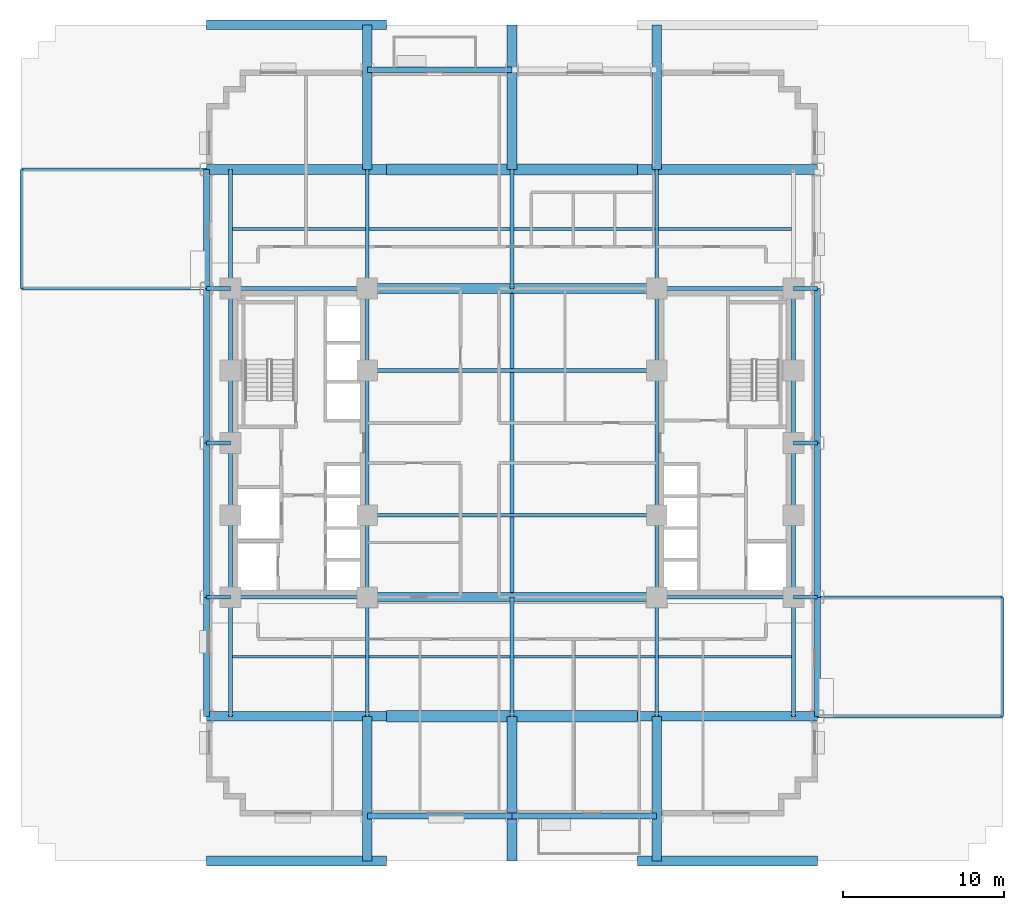
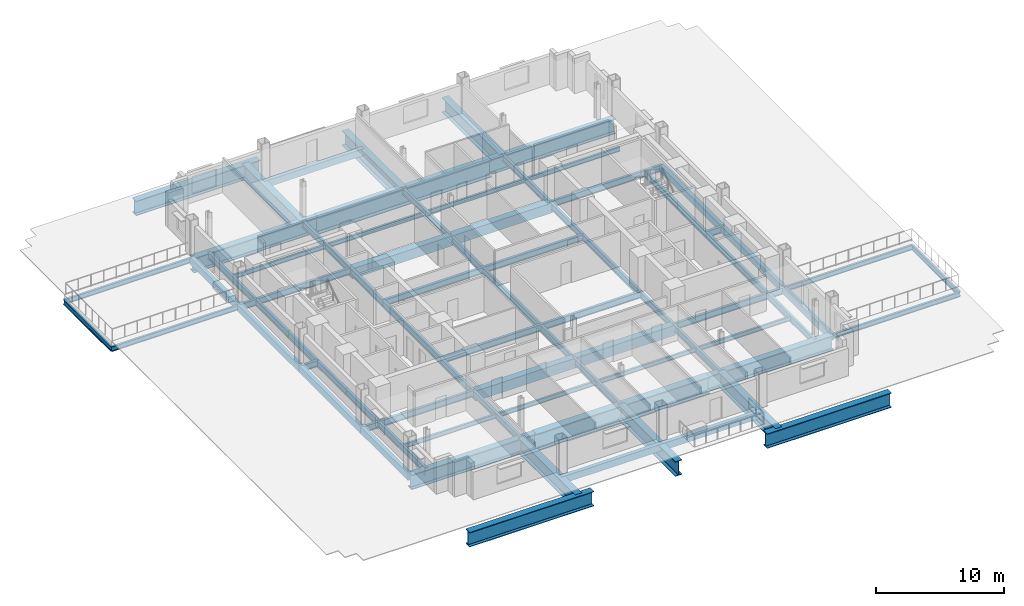
# One storey, part 3 of 13: 79 beams.
"""IFC4 building model written with IfcOpenShell, lengths in metres."""

from ifc_helpers import new_model, si_unit, direction, frame, origin, origin_2d, place, context, subcontext, project, spatial, rectangle, i_section, extrude, material, material_profile, profile_set, type_object, element, save


model = new_model("IFC4")

# Units and contexts
model_context = context("Model", 3, precision=1e-05, world=origin(), true_north=direction((0.0, 1.0)))
body_context = subcontext(model_context, "Body", "Model", "MODEL_VIEW")
ifc_project = project(units=[si_unit("LENGTHUNIT", "METRE"), si_unit("AREAUNIT", "SQUARE_METRE"), si_unit("VOLUMEUNIT", "CUBIC_METRE"), si_unit("PLANEANGLEUNIT", "RADIAN"), si_unit("MASSUNIT", "GRAM", prefix="KILO")], contexts=[model_context])

# Site, building, storey
site_placement = place(None, origin())
site = spatial("IfcSite", under=ifc_project, at=site_placement, CompositionType="ELEMENT")
building_placement = place(site_placement, origin())
building = spatial("IfcBuilding", under=site, at=building_placement, Name="Nuvemarco Arch Tower", CompositionType="ELEMENT")
storey_placement = place(building_placement, frame((0.0, 0.0, 27.60009765625)))
storey = spatial("IfcBuildingStorey", under=building, at=storey_placement, Name="L06", CompositionType="ELEMENT", Elevation=27.60009765625)

# Beams
ifc_material_1 = material(Name="Steel S460", Category="steel")
ifc_material_profile_1 = material_profile(ifc_material_1, i_section(OverallWidth=0.699951171875, OverallDepth=1.60009765625, WebThickness=0.035888671875, FlangeThickness=0.06494140625, FilletRadius=0.02392578125, at=origin_2d()), Name="PG1600x700")
ifc_profile_set_1 = profile_set([ifc_material_profile_1], Name="Steel S460")
beam_type_1 = type_object("IfcBeamType", Name="BM-ARCH-TRUSS", PredefinedType="BEAM", material=ifc_profile_set_1)
for number, where, z_axis, x_axis, name in (
    (1, (-7.800048828125, -17.0, -1.2001953125), (1.0, 0.0, 0.0), (0.0, 1.0, 0.0), "L06 Giant Arch transfer girder top chord -17.0"),
    (2, (-7.800048828125, 17.0, -1.2001953125), (1.0, 0.0, 0.0), (0.0, 1.0, 0.0), "L06 Giant Arch transfer girder top chord +17.0"),
):
    element("IfcBeam", number, at=place(storey_placement, frame(where, z_axis=z_axis, x_axis=x_axis)), inside=storey, type_object=beam_type_1, Name=name, PredefinedType="BEAM", context=body_context, shape_type="SweptSolid", body=[
        extrude(i_section(OverallWidth=0.699951171875, OverallDepth=1.60009765625, WebThickness=0.035888671875, FlangeThickness=0.06494140625, FilletRadius=0.02392578125, at=origin_2d()), origin(), (0.0, 0.0, 1.0), 15.60009765625),
    ])
ifc_material_2 = material(Name="Concrete C60/75", Category="concrete")
ifc_material_profile_2 = material_profile(ifc_material_2, rectangle(XDim=0.60009765625, YDim=0.949951171875, at=origin_2d()), Name="RC-BM-600x950")
ifc_profile_set_2 = profile_set([ifc_material_profile_2], Name="Concrete C60/75")
beam_type_2 = type_object("IfcBeamType", Name="BM-COUP-RC", PredefinedType="LINTEL", material=ifc_profile_set_2)
for number, where, z_axis, x_axis, name in (
    (3, (-9.0, -9.60009765625, -0.875), (1.0, 0.0, 0.0), (0.0, 1.0, 0.0), "L06 structural beam BGEW_L06_0_-9.6_-9.0"),
    (4, (0.0, -9.60009765625, -0.875), (1.0, 0.0, 0.0), (0.0, 1.0, 0.0), "L06 structural beam BGEW_L06_0_-9.6_+0.0"),
    (5, (-9.0, 9.60009765625, -0.875), (1.0, 0.0, 0.0), (0.0, 1.0, 0.0), "L06 structural beam BGEW_L06_0_+9.6_-9.0"),
    (6, (0.0, 9.60009765625, -0.875), (1.0, 0.0, 0.0), (0.0, 1.0, 0.0), "L06 structural beam BGEW_L06_0_+9.6_+0.0"),
):
    element("IfcBeam", number, at=place(storey_placement, frame(where, z_axis=z_axis, x_axis=x_axis)), inside=storey, type_object=beam_type_2, Name=name, PredefinedType="LINTEL", context=body_context, shape_type="SweptSolid", body=[
        extrude(rectangle(XDim=0.60009765625, YDim=0.949951171875, at=origin_2d()), origin(), (0.0, 0.0, 1.0), 9.0),
    ])
ifc_material_3 = material(Name="Steel S355", Category="steel")
ifc_material_profile_3 = material_profile(ifc_material_3, i_section(OverallWidth=0.22998046875, OverallDepth=0.616943359375, WebThickness=0.01318359375, FlangeThickness=0.022216796875, FilletRadius=0.01611328125, at=origin_2d()), Name="W610x140")
ifc_profile_set_3 = profile_set([ifc_material_profile_3], Name="Steel S355")
beam_type_3 = type_object("IfcBeamType", Name="BM-GIRD-610", PredefinedType="BEAM", material=ifc_profile_set_3)
beam_1_placement = place(storey_placement, frame((-17.5, -17.0, -0.70849609375), z_axis=(0.0, 1.0, 0.0), x_axis=(-1.0, 0.0, 0.0)))
element("IfcBeam", 7, at=beam_1_placement, inside=storey, type_object=beam_type_3, Name="L06 structural beam BGNS_L06_0_-17.5_-17.0", PredefinedType="BEAM", context=body_context, shape_type="SweptSolid", body=[
    extrude(i_section(OverallWidth=0.22998046875, OverallDepth=0.616943359375, WebThickness=0.01318359375, FlangeThickness=0.022216796875, FilletRadius=0.01611328125, at=origin_2d()), origin(), (0.0, 0.0, 1.0), 7.39990234375),
])
beam_2_placement = place(storey_placement, frame((-17.5, -9.60009765625, -0.70849609375), z_axis=(0.0, 1.0, 0.0), x_axis=(-1.0, 0.0, 0.0)))
element("IfcBeam", 8, at=beam_2_placement, inside=storey, type_object=beam_type_3, Name="L06 structural beam BGNS_L06_0_-17.5_-9.6", PredefinedType="BEAM", context=body_context, shape_type="SweptSolid", body=[
    extrude(i_section(OverallWidth=0.22998046875, OverallDepth=0.616943359375, WebThickness=0.01318359375, FlangeThickness=0.022216796875, FilletRadius=0.01611328125, at=origin_2d()), origin(), (0.0, 0.0, 1.0), 5.10009765625),
])
for number, where, z_axis, x_axis, name in (
    (9, (-17.5, -4.5, -0.70849609375), (0.0, 1.0, 0.0), (-1.0, 0.0, 0.0), "L06 structural beam BGNS_L06_0_-17.5_-4.5"),
    (10, (-17.5, 0.0, -0.70849609375), (0.0, 1.0, 0.0), (-1.0, 0.0, 0.0), "L06 structural beam BGNS_L06_0_-17.5_+0.0"),
):
    element("IfcBeam", number, at=place(storey_placement, frame(where, z_axis=z_axis, x_axis=x_axis)), inside=storey, type_object=beam_type_3, Name=name, PredefinedType="BEAM", context=body_context, shape_type="SweptSolid", body=[
        extrude(i_section(OverallWidth=0.22998046875, OverallDepth=0.616943359375, WebThickness=0.01318359375, FlangeThickness=0.022216796875, FilletRadius=0.01611328125, at=origin_2d()), origin(), (0.0, 0.0, 1.0), 4.5),
    ])
beam_3_placement = place(storey_placement, frame((-17.5, 4.5, -0.70849609375), z_axis=(0.0, 1.0, 0.0), x_axis=(-1.0, 0.0, 0.0)))
element("IfcBeam", 11, at=beam_3_placement, inside=storey, type_object=beam_type_3, Name="L06 structural beam BGNS_L06_0_-17.5_+4.5", PredefinedType="BEAM", context=body_context, shape_type="SweptSolid", body=[
    extrude(i_section(OverallWidth=0.22998046875, OverallDepth=0.616943359375, WebThickness=0.01318359375, FlangeThickness=0.022216796875, FilletRadius=0.01611328125, at=origin_2d()), origin(), (0.0, 0.0, 1.0), 5.10009765625),
])
for number, where, z_axis, x_axis, name in (
    (12, (-17.5, 9.60009765625, -0.70849609375), (0.0, 1.0, 0.0), (-1.0, 0.0, 0.0), "L06 structural beam BGNS_L06_0_-17.5_+9.6"),
    (13, (-9.0, -17.0, -0.70849609375), (0.0, 1.0, 0.0), (-1.0, 0.0, 0.0), "L06 structural beam BGNS_L06_0_-9.0_-17.0"),
):
    element("IfcBeam", number, at=place(storey_placement, frame(where, z_axis=z_axis, x_axis=x_axis)), inside=storey, type_object=beam_type_3, Name=name, PredefinedType="BEAM", context=body_context, shape_type="SweptSolid", body=[
        extrude(i_section(OverallWidth=0.22998046875, OverallDepth=0.616943359375, WebThickness=0.01318359375, FlangeThickness=0.022216796875, FilletRadius=0.01611328125, at=origin_2d()), origin(), (0.0, 0.0, 1.0), 7.39990234375),
    ])
beam_4_placement = place(storey_placement, frame((-9.0, -9.60009765625, -0.70849609375), z_axis=(0.0, 1.0, 0.0), x_axis=(-1.0, 0.0, 0.0)))
element("IfcBeam", 14, at=beam_4_placement, inside=storey, type_object=beam_type_3, Name="L06 structural beam BGNS_L06_0_-9.0_-9.6", PredefinedType="BEAM", context=body_context, shape_type="SweptSolid", body=[
    extrude(i_section(OverallWidth=0.22998046875, OverallDepth=0.616943359375, WebThickness=0.01318359375, FlangeThickness=0.022216796875, FilletRadius=0.01611328125, at=origin_2d()), origin(), (0.0, 0.0, 1.0), 5.10009765625),
])
beam_5_placement = place(storey_placement, frame((-9.0, -4.5, -0.70849609375), z_axis=(0.0, 1.0, 0.0), x_axis=(-1.0, 0.0, 0.0)))
element("IfcBeam", 15, at=beam_5_placement, inside=storey, type_object=beam_type_3, Name="L06 structural beam BGNS_L06_0_-9.0_-4.5", PredefinedType="BEAM", context=body_context, shape_type="SweptSolid", body=[
    extrude(i_section(OverallWidth=0.22998046875, OverallDepth=0.616943359375, WebThickness=0.01318359375, FlangeThickness=0.022216796875, FilletRadius=0.01611328125, at=origin_2d()), origin(), (0.0, 0.0, 1.0), 9.0),
])
beam_6_placement = place(storey_placement, frame((-9.0, 4.5, -0.70849609375), z_axis=(0.0, 1.0, 0.0), x_axis=(-1.0, 0.0, 0.0)))
element("IfcBeam", 16, at=beam_6_placement, inside=storey, type_object=beam_type_3, Name="L06 structural beam BGNS_L06_0_-9.0_+4.5", PredefinedType="BEAM", context=body_context, shape_type="SweptSolid", body=[
    extrude(i_section(OverallWidth=0.22998046875, OverallDepth=0.616943359375, WebThickness=0.01318359375, FlangeThickness=0.022216796875, FilletRadius=0.01611328125, at=origin_2d()), origin(), (0.0, 0.0, 1.0), 5.10009765625),
])
for number, where, z_axis, x_axis, name in (
    (17, (-9.0, 9.60009765625, -0.70849609375), (0.0, 1.0, 0.0), (-1.0, 0.0, 0.0), "L06 structural beam BGNS_L06_0_-9.0_+9.6"),
    (18, (0.0, -17.0, -0.70849609375), (0.0, 1.0, 0.0), (-1.0, 0.0, 0.0), "L06 structural beam BGNS_L06_0_+0.0_-17.0"),
):
    element("IfcBeam", number, at=place(storey_placement, frame(where, z_axis=z_axis, x_axis=x_axis)), inside=storey, type_object=beam_type_3, Name=name, PredefinedType="BEAM", context=body_context, shape_type="SweptSolid", body=[
        extrude(i_section(OverallWidth=0.22998046875, OverallDepth=0.616943359375, WebThickness=0.01318359375, FlangeThickness=0.022216796875, FilletRadius=0.01611328125, at=origin_2d()), origin(), (0.0, 0.0, 1.0), 7.39990234375),
    ])
beam_7_placement = place(storey_placement, frame((0.0, -9.60009765625, -0.70849609375), z_axis=(0.0, 1.0, 0.0), x_axis=(-1.0, 0.0, 0.0)))
element("IfcBeam", 19, at=beam_7_placement, inside=storey, type_object=beam_type_3, Name="L06 structural beam BGNS_L06_0_+0.0_-9.6", PredefinedType="BEAM", context=body_context, shape_type="SweptSolid", body=[
    extrude(i_section(OverallWidth=0.22998046875, OverallDepth=0.616943359375, WebThickness=0.01318359375, FlangeThickness=0.022216796875, FilletRadius=0.01611328125, at=origin_2d()), origin(), (0.0, 0.0, 1.0), 19.2001953125),
])
for number, where, z_axis, x_axis, name in (
    (20, (0.0, 9.60009765625, -0.70849609375), (0.0, 1.0, 0.0), (-1.0, 0.0, 0.0), "L06 structural beam BGNS_L06_0_+0.0_+9.6"),
    (21, (9.0, -17.0, -0.70849609375), (0.0, 1.0, 0.0), (-1.0, 0.0, 0.0), "L06 structural beam BGNS_L06_0_+9.0_-17.0"),
):
    element("IfcBeam", number, at=place(storey_placement, frame(where, z_axis=z_axis, x_axis=x_axis)), inside=storey, type_object=beam_type_3, Name=name, PredefinedType="BEAM", context=body_context, shape_type="SweptSolid", body=[
        extrude(i_section(OverallWidth=0.22998046875, OverallDepth=0.616943359375, WebThickness=0.01318359375, FlangeThickness=0.022216796875, FilletRadius=0.01611328125, at=origin_2d()), origin(), (0.0, 0.0, 1.0), 7.39990234375),
    ])
beam_8_placement = place(storey_placement, frame((9.0, -9.60009765625, -0.70849609375), z_axis=(0.0, 1.0, 0.0), x_axis=(-1.0, 0.0, 0.0)))
element("IfcBeam", 22, at=beam_8_placement, inside=storey, type_object=beam_type_3, Name="L06 structural beam BGNS_L06_0_+9.0_-9.6", PredefinedType="BEAM", context=body_context, shape_type="SweptSolid", body=[
    extrude(i_section(OverallWidth=0.22998046875, OverallDepth=0.616943359375, WebThickness=0.01318359375, FlangeThickness=0.022216796875, FilletRadius=0.01611328125, at=origin_2d()), origin(), (0.0, 0.0, 1.0), 5.10009765625),
])
beam_9_placement = place(storey_placement, frame((9.0, -4.5, -0.70849609375), z_axis=(0.0, 1.0, 0.0), x_axis=(-1.0, 0.0, 0.0)))
element("IfcBeam", 23, at=beam_9_placement, inside=storey, type_object=beam_type_3, Name="L06 structural beam BGNS_L06_0_+9.0_-4.5", PredefinedType="BEAM", context=body_context, shape_type="SweptSolid", body=[
    extrude(i_section(OverallWidth=0.22998046875, OverallDepth=0.616943359375, WebThickness=0.01318359375, FlangeThickness=0.022216796875, FilletRadius=0.01611328125, at=origin_2d()), origin(), (0.0, 0.0, 1.0), 9.0),
])
beam_10_placement = place(storey_placement, frame((9.0, 4.5, -0.70849609375), z_axis=(0.0, 1.0, 0.0), x_axis=(-1.0, 0.0, 0.0)))
element("IfcBeam", 24, at=beam_10_placement, inside=storey, type_object=beam_type_3, Name="L06 structural beam BGNS_L06_0_+9.0_+4.5", PredefinedType="BEAM", context=body_context, shape_type="SweptSolid", body=[
    extrude(i_section(OverallWidth=0.22998046875, OverallDepth=0.616943359375, WebThickness=0.01318359375, FlangeThickness=0.022216796875, FilletRadius=0.01611328125, at=origin_2d()), origin(), (0.0, 0.0, 1.0), 5.10009765625),
])
for number, where, z_axis, x_axis, name in (
    (25, (9.0, 9.60009765625, -0.70849609375), (0.0, 1.0, 0.0), (-1.0, 0.0, 0.0), "L06 structural beam BGNS_L06_0_+9.0_+9.6"),
    (26, (17.5, -17.0, -0.70849609375), (0.0, 1.0, 0.0), (-1.0, 0.0, 0.0), "L06 structural beam BGNS_L06_0_+17.5_-17.0"),
):
    element("IfcBeam", number, at=place(storey_placement, frame(where, z_axis=z_axis, x_axis=x_axis)), inside=storey, type_object=beam_type_3, Name=name, PredefinedType="BEAM", context=body_context, shape_type="SweptSolid", body=[
        extrude(i_section(OverallWidth=0.22998046875, OverallDepth=0.616943359375, WebThickness=0.01318359375, FlangeThickness=0.022216796875, FilletRadius=0.01611328125, at=origin_2d()), origin(), (0.0, 0.0, 1.0), 7.39990234375),
    ])
beam_11_placement = place(storey_placement, frame((17.5, -9.60009765625, -0.70849609375), z_axis=(0.0, 1.0, 0.0), x_axis=(-1.0, 0.0, 0.0)))
element("IfcBeam", 27, at=beam_11_placement, inside=storey, type_object=beam_type_3, Name="L06 structural beam BGNS_L06_0_+17.5_-9.6", PredefinedType="BEAM", context=body_context, shape_type="SweptSolid", body=[
    extrude(i_section(OverallWidth=0.22998046875, OverallDepth=0.616943359375, WebThickness=0.01318359375, FlangeThickness=0.022216796875, FilletRadius=0.01611328125, at=origin_2d()), origin(), (0.0, 0.0, 1.0), 5.10009765625),
])
for number, where, z_axis, x_axis, name in (
    (28, (17.5, -4.5, -0.70849609375), (0.0, 1.0, 0.0), (-1.0, 0.0, 0.0), "L06 structural beam BGNS_L06_0_+17.5_-4.5"),
    (29, (17.5, 0.0, -0.70849609375), (0.0, 1.0, 0.0), (-1.0, 0.0, 0.0), "L06 structural beam BGNS_L06_0_+17.5_+0.0"),
):
    element("IfcBeam", number, at=place(storey_placement, frame(where, z_axis=z_axis, x_axis=x_axis)), inside=storey, type_object=beam_type_3, Name=name, PredefinedType="BEAM", context=body_context, shape_type="SweptSolid", body=[
        extrude(i_section(OverallWidth=0.22998046875, OverallDepth=0.616943359375, WebThickness=0.01318359375, FlangeThickness=0.022216796875, FilletRadius=0.01611328125, at=origin_2d()), origin(), (0.0, 0.0, 1.0), 4.5),
    ])
beam_12_placement = place(storey_placement, frame((17.5, 4.5, -0.70849609375), z_axis=(0.0, 1.0, 0.0), x_axis=(-1.0, 0.0, 0.0)))
element("IfcBeam", 30, at=beam_12_placement, inside=storey, type_object=beam_type_3, Name="L06 structural beam BGNS_L06_0_+17.5_+4.5", PredefinedType="BEAM", context=body_context, shape_type="SweptSolid", body=[
    extrude(i_section(OverallWidth=0.22998046875, OverallDepth=0.616943359375, WebThickness=0.01318359375, FlangeThickness=0.022216796875, FilletRadius=0.01611328125, at=origin_2d()), origin(), (0.0, 0.0, 1.0), 5.10009765625),
])
beam_13_placement = place(storey_placement, frame((-19.0, -9.60009765625, -0.70849609375), z_axis=(1.0, 0.0, 0.0), x_axis=(0.0, 1.0, 0.0)))
element("IfcBeam", 31, at=beam_13_placement, inside=storey, type_object=beam_type_3, Name="L06 structural beam BGEW_L06_0_-9.6_-19.0", PredefinedType="BEAM", context=body_context, shape_type="SweptSolid", body=[
    extrude(i_section(OverallWidth=0.22998046875, OverallDepth=0.616943359375, WebThickness=0.01318359375, FlangeThickness=0.022216796875, FilletRadius=0.01611328125, at=origin_2d()), origin(), (0.0, 0.0, 1.0), 1.5),
])
for number, where, z_axis, x_axis, name in (
    (32, (-17.5, -9.60009765625, -0.70849609375), (1.0, 0.0, 0.0), (0.0, 1.0, 0.0), "L06 structural beam BGEW_L06_0_-9.6_-17.5"),
    (33, (9.0, -9.60009765625, -0.70849609375), (1.0, 0.0, 0.0), (0.0, 1.0, 0.0), "L06 structural beam BGEW_L06_0_-9.6_+9.0"),
):
    element("IfcBeam", number, at=place(storey_placement, frame(where, z_axis=z_axis, x_axis=x_axis)), inside=storey, type_object=beam_type_3, Name=name, PredefinedType="BEAM", context=body_context, shape_type="SweptSolid", body=[
        extrude(i_section(OverallWidth=0.22998046875, OverallDepth=0.616943359375, WebThickness=0.01318359375, FlangeThickness=0.022216796875, FilletRadius=0.01611328125, at=origin_2d()), origin(), (0.0, 0.0, 1.0), 8.5),
    ])
beam_14_placement = place(storey_placement, frame((17.5, -9.60009765625, -0.70849609375), z_axis=(1.0, 0.0, 0.0), x_axis=(0.0, 1.0, 0.0)))
element("IfcBeam", 34, at=beam_14_placement, inside=storey, type_object=beam_type_3, Name="L06 structural beam BGEW_L06_0_-9.6_+17.5", PredefinedType="BEAM", context=body_context, shape_type="SweptSolid", body=[
    extrude(i_section(OverallWidth=0.22998046875, OverallDepth=0.616943359375, WebThickness=0.01318359375, FlangeThickness=0.022216796875, FilletRadius=0.01611328125, at=origin_2d()), origin(), (0.0, 0.0, 1.0), 1.5),
])
beam_15_placement = place(storey_placement, frame((-9.0, -4.5, -0.70849609375), z_axis=(1.0, 0.0, 0.0), x_axis=(0.0, 1.0, 0.0)))
element("IfcBeam", 35, at=beam_15_placement, inside=storey, type_object=beam_type_3, Name="L06 structural beam BGEW_L06_0_-4.5_-9.0", PredefinedType="BEAM", context=body_context, shape_type="SweptSolid", body=[
    extrude(i_section(OverallWidth=0.22998046875, OverallDepth=0.616943359375, WebThickness=0.01318359375, FlangeThickness=0.022216796875, FilletRadius=0.01611328125, at=origin_2d()), origin(), (0.0, 0.0, 1.0), 18.0),
])
for number, where, z_axis, x_axis, name in (
    (36, (-19.0, 0.0, -0.70849609375), (1.0, 0.0, 0.0), (0.0, 1.0, 0.0), "L06 structural beam BGEW_L06_0_+0.0_-19.0"),
    (37, (17.5, 0.0, -0.70849609375), (1.0, 0.0, 0.0), (0.0, 1.0, 0.0), "L06 structural beam BGEW_L06_0_+0.0_+17.5"),
):
    element("IfcBeam", number, at=place(storey_placement, frame(where, z_axis=z_axis, x_axis=x_axis)), inside=storey, type_object=beam_type_3, Name=name, PredefinedType="BEAM", context=body_context, shape_type="SweptSolid", body=[
        extrude(i_section(OverallWidth=0.22998046875, OverallDepth=0.616943359375, WebThickness=0.01318359375, FlangeThickness=0.022216796875, FilletRadius=0.01611328125, at=origin_2d()), origin(), (0.0, 0.0, 1.0), 1.5),
    ])
beam_16_placement = place(storey_placement, frame((-9.0, 4.5, -0.70849609375), z_axis=(1.0, 0.0, 0.0), x_axis=(0.0, 1.0, 0.0)))
element("IfcBeam", 38, at=beam_16_placement, inside=storey, type_object=beam_type_3, Name="L06 structural beam BGEW_L06_0_+4.5_-9.0", PredefinedType="BEAM", context=body_context, shape_type="SweptSolid", body=[
    extrude(i_section(OverallWidth=0.22998046875, OverallDepth=0.616943359375, WebThickness=0.01318359375, FlangeThickness=0.022216796875, FilletRadius=0.01611328125, at=origin_2d()), origin(), (0.0, 0.0, 1.0), 18.0),
])
beam_17_placement = place(storey_placement, frame((-19.0, 9.60009765625, -0.70849609375), z_axis=(1.0, 0.0, 0.0), x_axis=(0.0, 1.0, 0.0)))
element("IfcBeam", 39, at=beam_17_placement, inside=storey, type_object=beam_type_3, Name="L06 structural beam BGEW_L06_0_+9.6_-19.0", PredefinedType="BEAM", context=body_context, shape_type="SweptSolid", body=[
    extrude(i_section(OverallWidth=0.22998046875, OverallDepth=0.616943359375, WebThickness=0.01318359375, FlangeThickness=0.022216796875, FilletRadius=0.01611328125, at=origin_2d()), origin(), (0.0, 0.0, 1.0), 1.5),
])
for number, where, z_axis, x_axis, name in (
    (40, (-17.5, 9.60009765625, -0.70849609375), (1.0, 0.0, 0.0), (0.0, 1.0, 0.0), "L06 structural beam BGEW_L06_0_+9.6_-17.5"),
    (41, (9.0, 9.60009765625, -0.70849609375), (1.0, 0.0, 0.0), (0.0, 1.0, 0.0), "L06 structural beam BGEW_L06_0_+9.6_+9.0"),
):
    element("IfcBeam", number, at=place(storey_placement, frame(where, z_axis=z_axis, x_axis=x_axis)), inside=storey, type_object=beam_type_3, Name=name, PredefinedType="BEAM", context=body_context, shape_type="SweptSolid", body=[
        extrude(i_section(OverallWidth=0.22998046875, OverallDepth=0.616943359375, WebThickness=0.01318359375, FlangeThickness=0.022216796875, FilletRadius=0.01611328125, at=origin_2d()), origin(), (0.0, 0.0, 1.0), 8.5),
    ])
beam_18_placement = place(storey_placement, frame((17.5, 9.60009765625, -0.70849609375), z_axis=(1.0, 0.0, 0.0), x_axis=(0.0, 1.0, 0.0)))
element("IfcBeam", 42, at=beam_18_placement, inside=storey, type_object=beam_type_3, Name="L06 structural beam BGEW_L06_0_+9.6_+17.5", PredefinedType="BEAM", context=body_context, shape_type="SweptSolid", body=[
    extrude(i_section(OverallWidth=0.22998046875, OverallDepth=0.616943359375, WebThickness=0.01318359375, FlangeThickness=0.022216796875, FilletRadius=0.01611328125, at=origin_2d()), origin(), (0.0, 0.0, 1.0), 1.5),
])
ifc_material_profile_4 = material_profile(ifc_material_3, i_section(OverallWidth=0.179931640625, OverallDepth=0.4130859375, WebThickness=0.009765625, FlangeThickness=0.01611328125, FilletRadius=0.014892578125, at=origin_2d()), Name="W410x75")
ifc_profile_set_4 = profile_set([ifc_material_profile_4], Name="Steel S355")
beam_type_4 = type_object("IfcBeamType", Name="BM-JOIST-410", PredefinedType="JOIST", material=ifc_profile_set_4)
beam_19_placement = place(storey_placement, frame((-17.385009765625, -13.300048828125, -0.606689453125), z_axis=(1.0, 0.0, 0.0), x_axis=(0.0, 1.0, 0.0)))
element("IfcBeam", 43, at=beam_19_placement, inside=storey, type_object=beam_type_4, Name="L06 structural beam BJ_L06_0_-13.3_-17.5", PredefinedType="JOIST", context=body_context, shape_type="SweptSolid", body=[
    extrude(i_section(OverallWidth=0.179931640625, OverallDepth=0.4130859375, WebThickness=0.009765625, FlangeThickness=0.01611328125, FilletRadius=0.014892578125, at=origin_2d()), origin(), (0.0, 0.0, 1.0), 8.27001953125),
])
for number, where, z_axis, x_axis, name in (
    (44, (-8.885009765625, -13.300048828125, -0.606689453125), (1.0, 0.0, 0.0), (0.0, 1.0, 0.0), "L06 structural beam BJ_L06_0_-13.3_-9.0"),
    (45, (0.114990234375, -13.300048828125, -0.606689453125), (1.0, 0.0, 0.0), (0.0, 1.0, 0.0), "L06 structural beam BJ_L06_0_-13.3_+0.0"),
):
    element("IfcBeam", number, at=place(storey_placement, frame(where, z_axis=z_axis, x_axis=x_axis)), inside=storey, type_object=beam_type_4, Name=name, PredefinedType="JOIST", context=body_context, shape_type="SweptSolid", body=[
        extrude(i_section(OverallWidth=0.179931640625, OverallDepth=0.4130859375, WebThickness=0.009765625, FlangeThickness=0.01611328125, FilletRadius=0.014892578125, at=origin_2d()), origin(), (0.0, 0.0, 1.0), 8.77001953125),
    ])
for number, where, z_axis, x_axis, name in (
    (46, (9.114990234375, -13.300048828125, -0.606689453125), (1.0, 0.0, 0.0), (0.0, 1.0, 0.0), "L06 structural beam BJ_L06_0_-13.3_+9.0"),
    (47, (-17.385009765625, 13.300048828125, -0.606689453125), (1.0, 0.0, 0.0), (0.0, 1.0, 0.0), "L06 structural beam BJ_L06_0_+13.3_-17.5"),
):
    element("IfcBeam", number, at=place(storey_placement, frame(where, z_axis=z_axis, x_axis=x_axis)), inside=storey, type_object=beam_type_4, Name=name, PredefinedType="JOIST", context=body_context, shape_type="SweptSolid", body=[
        extrude(i_section(OverallWidth=0.179931640625, OverallDepth=0.4130859375, WebThickness=0.009765625, FlangeThickness=0.01611328125, FilletRadius=0.014892578125, at=origin_2d()), origin(), (0.0, 0.0, 1.0), 8.27001953125),
    ])
for number, where, z_axis, x_axis, name in (
    (48, (-8.885009765625, 13.300048828125, -0.606689453125), (1.0, 0.0, 0.0), (0.0, 1.0, 0.0), "L06 structural beam BJ_L06_0_+13.3_-9.0"),
    (49, (0.114990234375, 13.300048828125, -0.606689453125), (1.0, 0.0, 0.0), (0.0, 1.0, 0.0), "L06 structural beam BJ_L06_0_+13.3_+0.0"),
):
    element("IfcBeam", number, at=place(storey_placement, frame(where, z_axis=z_axis, x_axis=x_axis)), inside=storey, type_object=beam_type_4, Name=name, PredefinedType="JOIST", context=body_context, shape_type="SweptSolid", body=[
        extrude(i_section(OverallWidth=0.179931640625, OverallDepth=0.4130859375, WebThickness=0.009765625, FlangeThickness=0.01611328125, FilletRadius=0.014892578125, at=origin_2d()), origin(), (0.0, 0.0, 1.0), 8.77001953125),
    ])
beam_20_placement = place(storey_placement, frame((9.114990234375, 13.300048828125, -0.606689453125), z_axis=(1.0, 0.0, 0.0), x_axis=(0.0, 1.0, 0.0)))
element("IfcBeam", 50, at=beam_20_placement, inside=storey, type_object=beam_type_4, Name="L06 structural beam BJ_L06_0_+13.3_+9.0", PredefinedType="JOIST", context=body_context, shape_type="SweptSolid", body=[
    extrude(i_section(OverallWidth=0.179931640625, OverallDepth=0.4130859375, WebThickness=0.009765625, FlangeThickness=0.01611328125, FilletRadius=0.014892578125, at=origin_2d()), origin(), (0.0, 0.0, 1.0), 8.27001953125),
])
ifc_material_profile_5 = material_profile(ifc_material_3, i_section(OverallWidth=0.19189453125, OverallDepth=0.462890625, WebThickness=0.010498046875, FlangeThickness=0.017578125, FilletRadius=0.014892578125, at=origin_2d()), Name="W460x89")
ifc_profile_set_5 = profile_set([ifc_material_profile_5], Name="Steel S355")
beam_type_5 = type_object("IfcBeamType", Name="BM-SET-TERR", PredefinedType="BEAM", material=ifc_profile_set_5)
beam_21_placement = place(storey_placement, frame((-30.5, 9.60009765625, -0.651611328125), z_axis=(0.0, 1.0, 0.0), x_axis=(-1.0, 0.0, 0.0)))
element("IfcBeam", 51, at=beam_21_placement, inside=storey, type_object=beam_type_5, Name="L06 structural beam BSETE_L06_0_0", PredefinedType="BEAM", context=body_context, shape_type="SweptSolid", body=[
    extrude(i_section(OverallWidth=0.19189453125, OverallDepth=0.462890625, WebThickness=0.010498046875, FlangeThickness=0.017578125, FilletRadius=0.014892578125, at=origin_2d()), origin(), (0.0, 0.0, 1.0), 7.39990234375),
])
for number, where, z_axis, x_axis, name in (
    (52, (-30.5, 9.60009765625, -0.651611328125), (1.0, 0.0, 0.0), (0.0, 1.0, 0.0), "L06 structural beam BSET_L06_0_0"),
    (53, (-30.5, 17.0, -0.651611328125), (1.0, 0.0, 0.0), (0.0, 1.0, 0.0), "L06 structural beam BSET_L06_0_1"),
):
    element("IfcBeam", number, at=place(storey_placement, frame(where, z_axis=z_axis, x_axis=x_axis)), inside=storey, type_object=beam_type_5, Name=name, PredefinedType="BEAM", context=body_context, shape_type="SweptSolid", body=[
        extrude(i_section(OverallWidth=0.19189453125, OverallDepth=0.462890625, WebThickness=0.010498046875, FlangeThickness=0.017578125, FilletRadius=0.014892578125, at=origin_2d()), origin(), (0.0, 0.0, 1.0), 11.5),
    ])
beam_22_placement = place(storey_placement, frame((30.5, -17.0, -0.651611328125), z_axis=(0.0, 1.0, 0.0), x_axis=(-1.0, 0.0, 0.0)))
element("IfcBeam", 54, at=beam_22_placement, inside=storey, type_object=beam_type_5, Name="L06 structural beam BSETE_L06_1_0", PredefinedType="BEAM", context=body_context, shape_type="SweptSolid", body=[
    extrude(i_section(OverallWidth=0.19189453125, OverallDepth=0.462890625, WebThickness=0.010498046875, FlangeThickness=0.017578125, FilletRadius=0.014892578125, at=origin_2d()), origin(), (0.0, 0.0, 1.0), 7.39990234375),
])
for number, where, z_axis, x_axis, name in (
    (55, (19.0, -17.0, -0.651611328125), (1.0, 0.0, 0.0), (0.0, 1.0, 0.0), "L06 structural beam BSET_L06_1_0"),
    (56, (19.0, -9.60009765625, -0.651611328125), (1.0, 0.0, 0.0), (0.0, 1.0, 0.0), "L06 structural beam BSET_L06_1_1"),
):
    element("IfcBeam", number, at=place(storey_placement, frame(where, z_axis=z_axis, x_axis=x_axis)), inside=storey, type_object=beam_type_5, Name=name, PredefinedType="BEAM", context=body_context, shape_type="SweptSolid", body=[
        extrude(i_section(OverallWidth=0.19189453125, OverallDepth=0.462890625, WebThickness=0.010498046875, FlangeThickness=0.017578125, FilletRadius=0.014892578125, at=origin_2d()), origin(), (0.0, 0.0, 1.0), 11.5),
    ])
ifc_material_4 = material(Name="Precast concrete C45/55", Category="concrete")
ifc_material_profile_6 = material_profile(ifc_material_4, rectangle(XDim=0.35009765625, YDim=0.64990234375, at=origin_2d()), Name="PC-SP-350x650")
ifc_profile_set_6 = profile_set([ifc_material_profile_6], Name="Precast concrete C45/55")
beam_type_6 = type_object("IfcBeamType", Name="BM-SPAN-RC", PredefinedType="SPANDREL", material=ifc_profile_set_6)
beam_23_placement = place(storey_placement, frame((-19.0, -17.0, -0.72509765625), z_axis=(0.0, 1.0, 0.0), x_axis=(-1.0, 0.0, 0.0)))
element("IfcBeam", 57, at=beam_23_placement, inside=storey, type_object=beam_type_6, Name="L06 structural beam BGNS_L06_0_-19.0_-17.0", PredefinedType="SPANDREL", context=body_context, shape_type="SweptSolid", body=[
    extrude(rectangle(XDim=0.35009765625, YDim=0.64990234375, at=origin_2d()), origin(), (0.0, 0.0, 1.0), 7.39990234375),
])
for number, where, z_axis, x_axis, name in (
    (58, (-19.0, -9.60009765625, -0.72509765625), (0.0, 1.0, 0.0), (-1.0, 0.0, 0.0), "L06 structural beam BGNS_L06_0_-19.0_-9.6"),
    (59, (-19.0, 0.0, -0.72509765625), (0.0, 1.0, 0.0), (-1.0, 0.0, 0.0), "L06 structural beam BGNS_L06_0_-19.0_+0.0"),
):
    element("IfcBeam", number, at=place(storey_placement, frame(where, z_axis=z_axis, x_axis=x_axis)), inside=storey, type_object=beam_type_6, Name=name, PredefinedType="SPANDREL", context=body_context, shape_type="SweptSolid", body=[
        extrude(rectangle(XDim=0.35009765625, YDim=0.64990234375, at=origin_2d()), origin(), (0.0, 0.0, 1.0), 9.60009765625),
    ])
for number, where, z_axis, x_axis, name in (
    (60, (-19.0, 9.60009765625, -0.72509765625), (0.0, 1.0, 0.0), (-1.0, 0.0, 0.0), "L06 structural beam BGNS_L06_0_-19.0_+9.6"),
    (61, (19.0, -17.0, -0.72509765625), (0.0, 1.0, 0.0), (-1.0, 0.0, 0.0), "L06 structural beam BGNS_L06_0_+19.0_-17.0"),
):
    element("IfcBeam", number, at=place(storey_placement, frame(where, z_axis=z_axis, x_axis=x_axis)), inside=storey, type_object=beam_type_6, Name=name, PredefinedType="SPANDREL", context=body_context, shape_type="SweptSolid", body=[
        extrude(rectangle(XDim=0.35009765625, YDim=0.64990234375, at=origin_2d()), origin(), (0.0, 0.0, 1.0), 7.39990234375),
    ])
for number, where, z_axis, x_axis, name in (
    (62, (19.0, -9.60009765625, -0.72509765625), (0.0, 1.0, 0.0), (-1.0, 0.0, 0.0), "L06 structural beam BGNS_L06_0_+19.0_-9.6"),
    (63, (19.0, 0.0, -0.72509765625), (0.0, 1.0, 0.0), (-1.0, 0.0, 0.0), "L06 structural beam BGNS_L06_0_+19.0_+0.0"),
):
    element("IfcBeam", number, at=place(storey_placement, frame(where, z_axis=z_axis, x_axis=x_axis)), inside=storey, type_object=beam_type_6, Name=name, PredefinedType="SPANDREL", context=body_context, shape_type="SweptSolid", body=[
        extrude(rectangle(XDim=0.35009765625, YDim=0.64990234375, at=origin_2d()), origin(), (0.0, 0.0, 1.0), 9.60009765625),
    ])
for number, where, z_axis, x_axis, name in (
    (64, (-9.0, -23.199951171875, -0.72509765625), (1.0, 0.0, 0.0), (0.0, 1.0, 0.0), "L06 structural beam BGEW_L06_0_-23.2_-9.0"),
    (65, (0.0, -23.199951171875, -0.72509765625), (1.0, 0.0, 0.0), (0.0, 1.0, 0.0), "L06 structural beam BGEW_L06_0_-23.2_+0.0"),
    (66, (-9.0, 23.199951171875, -0.72509765625), (1.0, 0.0, 0.0), (0.0, 1.0, 0.0), "L06 structural beam BGEW_L06_0_+23.2_-9.0"),
):
    element("IfcBeam", number, at=place(storey_placement, frame(where, z_axis=z_axis, x_axis=x_axis)), inside=storey, type_object=beam_type_6, Name=name, PredefinedType="SPANDREL", context=body_context, shape_type="SweptSolid", body=[
        extrude(rectangle(XDim=0.35009765625, YDim=0.64990234375, at=origin_2d()), origin(), (0.0, 0.0, 1.0), 9.0),
    ])
ifc_material_profile_7 = material_profile(ifc_material_1, i_section(OverallWidth=0.60009765625, OverallDepth=1.39990234375, WebThickness=0.031982421875, FlangeThickness=0.054931640625, FilletRadius=0.02001953125, at=origin_2d()), Name="PG1400x600")
ifc_profile_set_7 = profile_set([ifc_material_profile_7], Name="Steel S460")
beam_type_7 = type_object("IfcBeamType", Name="BM-TG-SETBACK", PredefinedType="BEAM", material=ifc_profile_set_7)
for number, where, z_axis, x_axis, name in (
    (67, (-19.0, -26.0, -1.10009765625), (1.0, 0.0, 0.0), (0.0, 1.0, 0.0), "L06 structural beam TGL06_EW_W_-26.0"),
    (68, (7.800048828125, -26.0, -1.10009765625), (1.0, 0.0, 0.0), (0.0, 1.0, 0.0), "L06 structural beam TGL06_EW_E_-26.0"),
    (69, (-19.0, -17.0, -1.10009765625), (1.0, 0.0, 0.0), (0.0, 1.0, 0.0), "L06 structural beam TGL06_EW_W_-17.0"),
    (70, (7.800048828125, -17.0, -1.10009765625), (1.0, 0.0, 0.0), (0.0, 1.0, 0.0), "L06 structural beam TGL06_EW_E_-17.0"),
    (71, (-19.0, 17.0, -1.10009765625), (1.0, 0.0, 0.0), (0.0, 1.0, 0.0), "L06 structural beam TGL06_EW_W_+17.0"),
    (72, (7.800048828125, 17.0, -1.10009765625), (1.0, 0.0, 0.0), (0.0, 1.0, 0.0), "L06 structural beam TGL06_EW_E_+17.0"),
    (73, (-19.0, 26.0, -1.10009765625), (1.0, 0.0, 0.0), (0.0, 1.0, 0.0), "L06 structural beam TGL06_EW_W_+26.0"),
):
    element("IfcBeam", number, at=place(storey_placement, frame(where, z_axis=z_axis, x_axis=x_axis)), inside=storey, type_object=beam_type_7, Name=name, PredefinedType="BEAM", context=body_context, shape_type="SweptSolid", body=[
        extrude(i_section(OverallWidth=0.60009765625, OverallDepth=1.39990234375, WebThickness=0.031982421875, FlangeThickness=0.054931640625, FilletRadius=0.02001953125, at=origin_2d()), origin(), (0.0, 0.0, 1.0), 11.199951171875),
    ])
for number, where, z_axis, x_axis, name in (
    (74, (-9.0, -26.0, -1.10009765625), (0.0, 1.0, 0.0), (-1.0, 0.0, 0.0), "L06 structural beam TGL06_NS_S_-9.0"),
    (75, (-9.0, 17.0, -1.10009765625), (0.0, 1.0, 0.0), (-1.0, 0.0, 0.0), "L06 structural beam TGL06_NS_N_-9.0"),
    (76, (0.0, -26.0, -1.10009765625), (0.0, 1.0, 0.0), (-1.0, 0.0, 0.0), "L06 structural beam TGL06_NS_S_+0.0"),
    (77, (0.0, 17.0, -1.10009765625), (0.0, 1.0, 0.0), (-1.0, 0.0, 0.0), "L06 structural beam TGL06_NS_N_+0.0"),
    (78, (9.0, -26.0, -1.10009765625), (0.0, 1.0, 0.0), (-1.0, 0.0, 0.0), "L06 structural beam TGL06_NS_S_+9.0"),
    (79, (9.0, 17.0, -1.10009765625), (0.0, 1.0, 0.0), (-1.0, 0.0, 0.0), "L06 structural beam TGL06_NS_N_+9.0"),
):
    element("IfcBeam", number, at=place(storey_placement, frame(where, z_axis=z_axis, x_axis=x_axis)), inside=storey, type_object=beam_type_7, Name=name, PredefinedType="BEAM", context=body_context, shape_type="SweptSolid", body=[
        extrude(i_section(OverallWidth=0.60009765625, OverallDepth=1.39990234375, WebThickness=0.031982421875, FlangeThickness=0.054931640625, FilletRadius=0.02001953125, at=origin_2d()), origin(), (0.0, 0.0, 1.0), 9.0),
    ])

save(model, "model.ifc")
